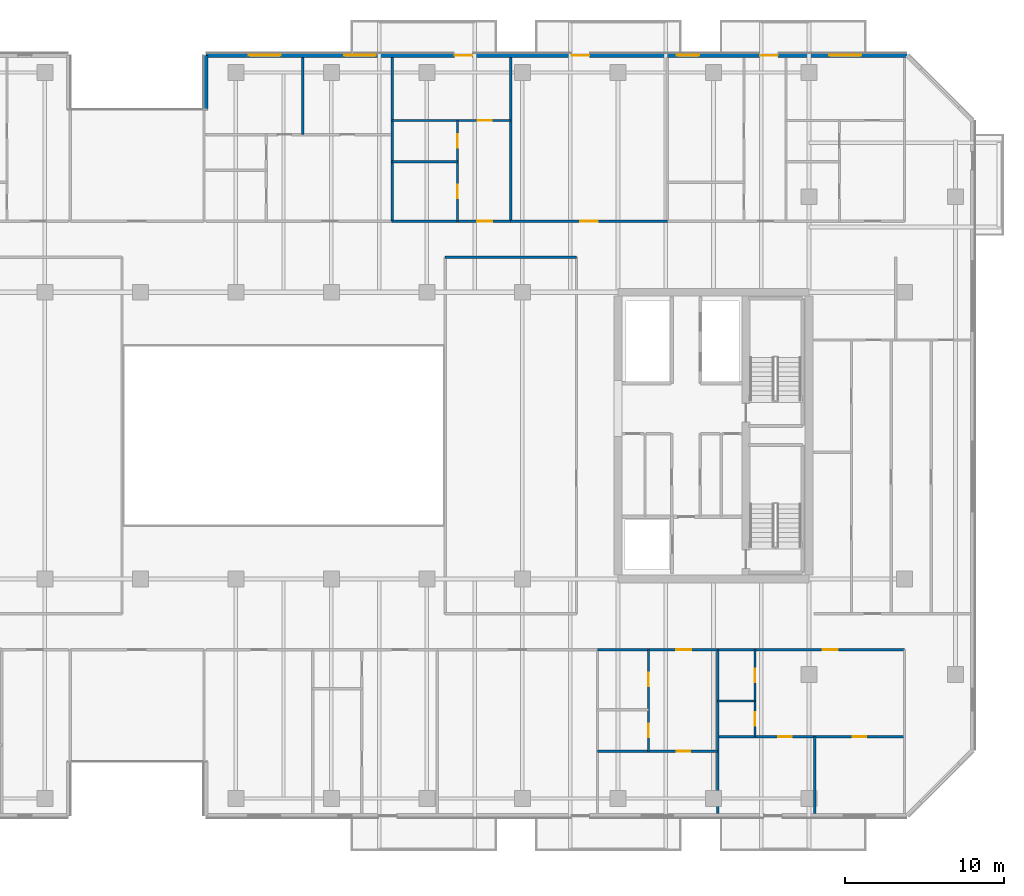
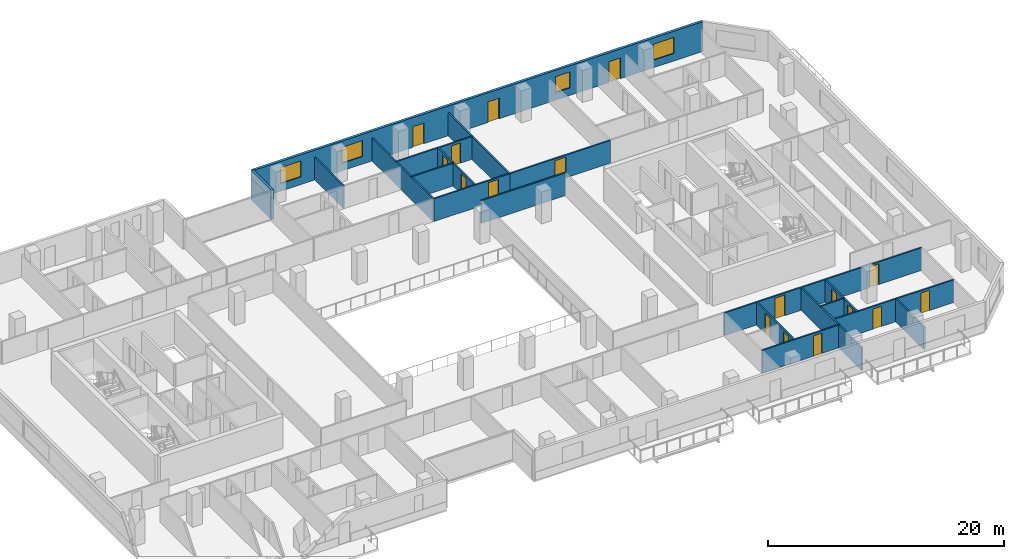
# One storey, part 14 of 23: 20 walls, 17 doors, 4 windows, 21 openings.
"""IFC4 building model written with IfcOpenShell, lengths in metres."""

from ifc_helpers import new_model, si_unit, direction, frame, frame_2d, origin, place, context, subcontext, project, spatial, rectangle, extrude, material, layer, layer_set, type_object, element, fill, save


model = new_model("IFC4")

# Units and contexts
model_context = context("Model", 3, precision=1e-05, world=origin(), true_north=direction((0.0, 1.0)))
body_context = subcontext(model_context, "Body", "Model", "MODEL_VIEW")
ifc_project = project(units=[si_unit("LENGTHUNIT", "METRE"), si_unit("AREAUNIT", "SQUARE_METRE"), si_unit("VOLUMEUNIT", "CUBIC_METRE"), si_unit("PLANEANGLEUNIT", "RADIAN"), si_unit("MASSUNIT", "GRAM", prefix="KILO")], contexts=[model_context])

# Site, building, storey
site_placement = place(None, origin())
site = spatial("IfcSite", under=ifc_project, at=site_placement, CompositionType="ELEMENT")
building_placement = place(site_placement, origin())
building = spatial("IfcBuilding", under=site, at=building_placement, Name="Tanjung Sevakor Pilgrim Tower", CompositionType="ELEMENT")
storey_placement = place(building_placement, frame((0.0, 0.0, 85.469970703125)))
storey = spatial("IfcBuildingStorey", under=building, at=storey_placement, Name="L23", CompositionType="ELEMENT", Elevation=85.469970703125)

# Walls
ifc_material_1 = material(Name="Concrete C40/50", Category="concrete")
ifc_layer_1 = layer(ifc_material_1, 0.14990234375)
ifc_layer_set_1 = layer_set([ifc_layer_1], Name="WT-COMP-150")
wall_type_1 = type_object("IfcWallType", Name="WT-COMP-150", PredefinedType="SOLIDWALL", material=ifc_layer_set_1)
wall_1_placement = place(storey_placement, frame((67.14990234375, 44.800048828125, 0.0), z_axis=(0.0, 0.0, 1.0), x_axis=(1.0, 0.0, 0.0)))
element("IfcWall", 1, at=wall_1_placement, inside=storey, type_object=wall_type_1, Name="L23 Partition IW-L23-034", PredefinedType="SOLIDWALL", context=body_context, shape_type="SweptSolid", body=[
    extrude(rectangle(XDim=8.25, YDim=0.14990234375, at=frame_2d((4.125, 0.0))), origin(), (0.0, 0.0, 1.0), 2.35009765625),
])
wall_2_placement = place(storey_placement, frame((84.261474609375, 9.85009765625, 0.0), z_axis=(0.0, 0.0, 1.0), x_axis=(0.0, 1.0, 0.0)))
element("IfcWall", 2, at=wall_2_placement, inside=storey, type_object=wall_type_1, Name="L23 Partition IW-L23-073", PredefinedType="SOLIDWALL", context=body_context, shape_type="SweptSolid", body=[
    extrude(rectangle(XDim=10.2998046875, YDim=0.14990234375, at=frame_2d((5.14990234375, 0.0))), origin(), (0.0, 0.0, 1.0), 2.35009765625),
])

# Wall, opening, door
wall_3_placement = place(storey_placement, frame((76.715087890625, 20.14990234375, 0.0), z_axis=(0.0, 0.0, 1.0), x_axis=(1.0, 0.0, 0.0)))
wall_3 = element("IfcWall", 3, at=wall_3_placement, inside=storey, type_object=wall_type_1, Name="L23 Partition IW-L23-077", PredefinedType="SOLIDWALL", context=body_context, shape_type="SweptSolid", body=[
    extrude(rectangle(XDim=7.54638671875, YDim=0.14990234375, at=frame_2d((3.773193359375, 0.0))), origin(), (0.0, 0.0, 1.0), 2.35009765625),
])
opening_1_placement = place(wall_3_placement, frame((4.9404296875, 0.0, 0.0)))
opening_1 = element("IfcOpeningElement", 4, at=opening_1_placement, cuts=wall_3, Name="Opening ID-FD2", PredefinedType="OPENING", context=body_context, shape_type="SweptSolid", body=[
    extrude(rectangle(XDim=0.949951171875, YDim=2.14990234375, at=frame_2d((0.47509765625, 1.074951171875))), frame((0.0, 0.0849609375, 0.0), z_axis=(0.0, -1.0, 0.0), x_axis=(1.0, 0.0, 0.0)), (0.0, 0.0, 1.0), 0.169921875),
])
ifc_material_2 = material(Name="Fire-Rated Timber", Category="wood")
door_type_1 = type_object("IfcDoorType", Name="DT-FIRE-950", OperationType="NOTDEFINED", PredefinedType="DOOR", material=ifc_material_2)
door_1_placement = place(opening_1_placement, origin())
door_1 = element("IfcDoor", 5, at=door_1_placement, inside=storey, type_object=door_type_1, Name="Residence Entrance", OperationType="SINGLE_SWING_RIGHT", OverallHeight=2.14990234375, OverallWidth=0.949951171875, PredefinedType="DOOR", context=body_context, shape_type="SweptSolid", body=[
    extrude(rectangle(XDim=0.949951171875, YDim=2.14990234375, at=frame_2d((0.47509765625, 1.074951171875))), frame((0.0, 0.02490234375, 0.0), z_axis=(0.0, -1.0, 0.0), x_axis=(1.0, 0.0, 0.0)), (0.0, 0.0, 1.0), 0.050048828125),
])
fill(opening_1, door_1)

wall_4_placement = place(storey_placement, frame((84.261474609375, 20.14990234375, 0.0), z_axis=(0.0, 0.0, 1.0), x_axis=(1.0, 0.0, 0.0)))
wall_4 = element("IfcWall", 6, at=wall_4_placement, inside=storey, type_object=wall_type_1, Name="L23 Partition IW-L23-082", PredefinedType="SOLIDWALL", context=body_context, shape_type="SweptSolid", body=[
    extrude(rectangle(XDim=11.738525390625, YDim=0.14990234375, at=frame_2d((5.869140625, 0.0))), origin(), (0.0, 0.0, 1.0), 2.35009765625),
])
opening_2_placement = place(wall_4_placement, frame((6.609375, 0.0, 0.0)))
opening_2 = element("IfcOpeningElement", 7, at=opening_2_placement, cuts=wall_4, Name="Opening ID-FD2", PredefinedType="OPENING", context=body_context, shape_type="SweptSolid", body=[
    extrude(rectangle(XDim=0.949951171875, YDim=2.14990234375, at=frame_2d((0.47509765625, 1.074951171875))), frame((0.0, 0.0849609375, 0.0), z_axis=(0.0, -1.0, 0.0), x_axis=(1.0, 0.0, 0.0)), (0.0, 0.0, 1.0), 0.169921875),
])
door_2_placement = place(opening_2_placement, origin())
door_2 = element("IfcDoor", 8, at=door_2_placement, inside=storey, type_object=door_type_1, Name="Suite Entrance", OperationType="SINGLE_SWING_LEFT", OverallHeight=2.14990234375, OverallWidth=0.949951171875, PredefinedType="DOOR", context=body_context, shape_type="SweptSolid", body=[
    extrude(rectangle(XDim=0.949951171875, YDim=2.14990234375, at=frame_2d((0.47509765625, 1.074951171875))), frame((0.0, 0.02490234375, 0.0), z_axis=(0.0, -1.0, 0.0), x_axis=(1.0, 0.0, 0.0)), (0.0, 0.0, 1.0), 0.050048828125),
])
fill(opening_2, door_2)

# Walls
for number, where, z_axis, x_axis, name in (
    (9, (63.8212890625, 47.050048828125, 0.0), (0.0, 0.0, 1.0), (0.0, 1.0, 0.0), "L23 Partition IW-L23-095"),
    (10, (71.267578125, 47.050048828125, 0.0), (0.0, 0.0, 1.0), (0.0, 1.0, 0.0), "L23 Partition IW-L23-101"),
):
    element("IfcWall", number, at=place(storey_placement, frame(where, z_axis=z_axis, x_axis=x_axis)), inside=storey, type_object=wall_type_1, Name=name, PredefinedType="SOLIDWALL", context=body_context, shape_type="SweptSolid", body=[
        extrude(rectangle(XDim=10.300048828125, YDim=0.14990234375, at=frame_2d((5.14990234375, 0.0))), origin(), (0.0, 0.0, 1.0), 2.35009765625),
    ])

# Wall, opening, door
wall_5_placement = place(storey_placement, frame((63.8212890625, 47.050048828125, 0.0), z_axis=(0.0, 0.0, 1.0), x_axis=(1.0, 0.0, 0.0)))
wall_5 = element("IfcWall", 11, at=wall_5_placement, inside=storey, type_object=wall_type_1, Name="L23 Partition IW-L23-105", PredefinedType="SOLIDWALL", context=body_context, shape_type="SweptSolid", body=[
    extrude(rectangle(XDim=7.4462890625, YDim=0.14990234375, at=frame_2d((3.72314453125, 0.0))), origin(), (0.0, 0.0, 1.0), 2.35009765625),
])
opening_3_placement = place(wall_5_placement, frame((5.33740234375, 0.0, 0.0)))
opening_3 = element("IfcOpeningElement", 12, at=opening_3_placement, cuts=wall_5, Name="Opening ID-FD2", PredefinedType="OPENING", context=body_context, shape_type="SweptSolid", body=[
    extrude(rectangle(XDim=0.949951171875, YDim=2.14990234375, at=frame_2d((0.47509765625, 1.074951171875))), frame((0.0, 0.0849609375, 0.0), z_axis=(0.0, -1.0, 0.0), x_axis=(1.0, 0.0, 0.0)), (0.0, 0.0, 1.0), 0.169921875),
])
door_3_placement = place(opening_3_placement, origin())
door_3 = element("IfcDoor", 13, at=door_3_placement, inside=storey, type_object=door_type_1, Name="Residence Entrance", OperationType="SINGLE_SWING_RIGHT", OverallHeight=2.14990234375, OverallWidth=0.949951171875, PredefinedType="DOOR", context=body_context, shape_type="SweptSolid", body=[
    extrude(rectangle(XDim=0.949951171875, YDim=2.14990234375, at=frame_2d((0.47509765625, 1.074951171875))), frame((0.0, 0.02490234375, 0.0), z_axis=(0.0, -1.0, 0.0), x_axis=(1.0, 0.0, 0.0)), (0.0, 0.0, 1.0), 0.050048828125),
])
fill(opening_3, door_3)

wall_6_placement = place(storey_placement, frame((71.267578125, 47.050048828125, 0.0), z_axis=(0.0, 0.0, 1.0), x_axis=(1.0, 0.0, 0.0)))
wall_6 = element("IfcWall", 14, at=wall_6_placement, inside=storey, type_object=wall_type_1, Name="L23 Partition IW-L23-107", PredefinedType="SOLIDWALL", context=body_context, shape_type="SweptSolid", body=[
    extrude(rectangle(XDim=9.83984375, YDim=0.14990234375, at=frame_2d((4.919921875, 0.0))), origin(), (0.0, 0.0, 1.0), 2.35009765625),
])
opening_4_placement = place(wall_6_placement, frame((4.369873046875, 0.0, 0.0)))
opening_4 = element("IfcOpeningElement", 15, at=opening_4_placement, cuts=wall_6, Name="Opening ID-FD0", PredefinedType="OPENING", context=body_context, shape_type="SweptSolid", body=[
    extrude(rectangle(XDim=1.10009765625, YDim=2.14990234375, at=frame_2d((0.550048828125, 1.074951171875))), frame((0.0, 0.0849609375, 0.0), z_axis=(0.0, -1.0, 0.0), x_axis=(1.0, 0.0, 0.0)), (0.0, 0.0, 1.0), 0.169921875),
])
ifc_material_3 = material(Name="Fire-Rated Steel S355J2", Category="steel")
door_type_2 = type_object("IfcDoorType", Name="DT-FIRE-1100", OperationType="NOTDEFINED", PredefinedType="DOOR", material=ifc_material_3)
door_4_placement = place(opening_4_placement, origin())
door_4 = element("IfcDoor", 16, at=door_4_placement, inside=storey, type_object=door_type_2, Name="Seminar Room Door", OperationType="SINGLE_SWING_LEFT", OverallHeight=2.14990234375, OverallWidth=1.10009765625, PredefinedType="DOOR", context=body_context, shape_type="SweptSolid", body=[
    extrude(rectangle(XDim=1.10009765625, YDim=2.14990234375, at=frame_2d((0.550048828125, 1.074951171875))), frame((0.0, 0.02490234375, 0.0), z_axis=(0.0, -1.0, 0.0), x_axis=(1.0, 0.0, 0.0)), (0.0, 0.0, 1.0), 0.050048828125),
])
fill(opening_4, door_4)

# Wall, openings, doors, windows
ifc_material_4 = material(Name="Precast concrete C45/55", Category="concrete")
ifc_layer_2 = layer(ifc_material_4, 0.25)
ifc_layer_set_2 = layer_set([ifc_layer_2], Name="WT-EW-STN3")
wall_type_2 = type_object("IfcWallType", Name="WT-EW-STN3", PredefinedType="SOLIDWALL", material=ifc_layer_set_2)
wall_7_placement = place(storey_placement, frame((96.148193359375, 57.47509765625, 0.0), z_axis=(0.0, 0.0, 1.0), x_axis=(-1.0, 0.0, 0.0)))
wall_7 = element("IfcWall", 17, at=wall_7_placement, inside=storey, type_object=wall_type_2, Name="L23 MAIN Exterior Wall 9", PredefinedType="SOLIDWALL", context=body_context, shape_type="SweptSolid", body=[
    extrude(rectangle(XDim=44.023193359375, YDim=0.25, at=frame_2d((22.01171875, 0.0))), origin(), (0.0, 0.0, 1.0), 3.080078125),
])
opening_5_placement = place(wall_7_placement, frame((27.298095703125, 0.0, 0.0)))
opening_5 = element("IfcOpeningElement", 18, at=opening_5_placement, cuts=wall_7, Name="Opening ED-BAL-1100", PredefinedType="OPENING", context=body_context, shape_type="SweptSolid", body=[
    extrude(rectangle(XDim=1.10009765625, YDim=2.14990234375, at=frame_2d((0.550048828125, 1.074951171875))), frame((0.0, 0.135009765625, 0.0), z_axis=(0.0, -1.0, 0.0), x_axis=(1.0, 0.0, 0.0)), (0.0, 0.0, 1.0), 0.27001953125),
])
opening_6_placement = place(wall_7_placement, frame((19.9482421875, 0.0, 0.0)))
opening_6 = element("IfcOpeningElement", 19, at=opening_6_placement, cuts=wall_7, Name="Opening ED-BAL-1100", PredefinedType="OPENING", context=body_context, shape_type="SweptSolid", body=[
    extrude(rectangle(XDim=1.10009765625, YDim=2.14990234375, at=frame_2d((0.550048828125, 1.074951171875))), frame((0.0, 0.135009765625, 0.0), z_axis=(0.0, -1.0, 0.0), x_axis=(1.0, 0.0, 0.0)), (0.0, 0.0, 1.0), 0.27001953125),
])
opening_7_placement = place(wall_7_placement, frame((8.09814453125, 0.0, 0.0)))
opening_7 = element("IfcOpeningElement", 20, at=opening_7_placement, cuts=wall_7, Name="Opening ED-BAL-1100", PredefinedType="OPENING", context=body_context, shape_type="SweptSolid", body=[
    extrude(rectangle(XDim=1.10009765625, YDim=2.14990234375, at=frame_2d((0.550048828125, 1.074951171875))), frame((0.0, 0.135009765625, 0.0), z_axis=(0.0, -1.0, 0.0), x_axis=(1.0, 0.0, 0.0)), (0.0, 0.0, 1.0), 0.27001953125),
])
opening_8_placement = place(wall_7_placement, frame((39.3359375, 0.0, 0.780029296875)))
opening_8 = element("IfcOpeningElement", 21, at=opening_8_placement, cuts=wall_7, Name="Opening WN-Z2-1660", PredefinedType="OPENING", context=body_context, shape_type="SweptSolid", body=[
    extrude(rectangle(XDim=2.0, YDim=1.659912109375, at=frame_2d((1.0, 0.830078125))), frame((0.0, 0.135009765625, 0.0), z_axis=(0.0, -1.0, 0.0), x_axis=(1.0, 0.0, 0.0)), (0.0, 0.0, 1.0), 0.27001953125),
])
opening_9_placement = place(wall_7_placement, frame((33.34521484375, 0.0, 0.780029296875)))
opening_9 = element("IfcOpeningElement", 22, at=opening_9_placement, cuts=wall_7, Name="Opening WN-Z2-1660", PredefinedType="OPENING", context=body_context, shape_type="SweptSolid", body=[
    extrude(rectangle(XDim=2.0, YDim=1.659912109375, at=frame_2d((1.0, 0.830078125))), frame((0.0, 0.135009765625, 0.0), z_axis=(0.0, -1.0, 0.0), x_axis=(1.0, 0.0, 0.0)), (0.0, 0.0, 1.0), 0.27001953125),
])
opening_10_placement = place(wall_7_placement, frame((13.04443359375, 0.0, 0.780029296875)))
opening_10 = element("IfcOpeningElement", 23, at=opening_10_placement, cuts=wall_7, Name="Opening WN-END", PredefinedType="OPENING", context=body_context, shape_type="SweptSolid", body=[
    extrude(rectangle(XDim=1.39990234375, YDim=1.64990234375, at=frame_2d((0.699951171875, 0.824951171875))), frame((0.0, 0.135009765625, 0.0), z_axis=(0.0, -1.0, 0.0), x_axis=(1.0, 0.0, 0.0)), (0.0, 0.0, 1.0), 0.27001953125),
])
opening_11_placement = place(wall_7_placement, frame((2.871337890625, 0.0, 0.780029296875)))
opening_11 = element("IfcOpeningElement", 24, at=opening_11_placement, cuts=wall_7, Name="Opening WN-Z2-1660", PredefinedType="OPENING", context=body_context, shape_type="SweptSolid", body=[
    extrude(rectangle(XDim=2.0, YDim=1.659912109375, at=frame_2d((1.0, 0.830078125))), frame((0.0, 0.135009765625, 0.0), z_axis=(0.0, -1.0, 0.0), x_axis=(1.0, 0.0, 0.0)), (0.0, 0.0, 1.0), 0.27001953125),
])
ifc_material_5 = material(Name="Anodised Aluminium and Laminated Glass", Category="aluminium")
door_type_3 = type_object("IfcDoorType", Name="DTYP-ED-BAL-1100", OperationType="NOTDEFINED", PredefinedType="DOOR", material=ifc_material_5)
door_5_placement = place(opening_5_placement, frame((1.10009765625, 0.0, 0.0), z_axis=(0.0, 0.0, 1.0), x_axis=(-1.0, 0.0, 0.0)))
door_5 = element("IfcDoor", 25, at=door_5_placement, inside=storey, type_object=door_type_3, Name="L23 Balcony Door MAIN-N2", OperationType="SINGLE_SWING_LEFT", OverallHeight=2.14990234375, OverallWidth=1.10009765625, PredefinedType="DOOR", context=body_context, shape_type="SweptSolid", body=[
    extrude(rectangle(XDim=1.10009765625, YDim=2.14990234375, at=frame_2d((0.550048828125, 1.074951171875))), frame((0.0, 0.02490234375, 0.0), z_axis=(0.0, -1.0, 0.0), x_axis=(1.0, 0.0, 0.0)), (0.0, 0.0, 1.0), 0.050048828125),
])
fill(opening_5, door_5)
door_6_placement = place(opening_6_placement, frame((1.10009765625, 0.0, 0.0), z_axis=(0.0, 0.0, 1.0), x_axis=(-1.0, 0.0, 0.0)))
door_6 = element("IfcDoor", 26, at=door_6_placement, inside=storey, type_object=door_type_3, Name="L23 Balcony Door MAIN-N3", OperationType="SINGLE_SWING_RIGHT", OverallHeight=2.14990234375, OverallWidth=1.10009765625, PredefinedType="DOOR", context=body_context, shape_type="SweptSolid", body=[
    extrude(rectangle(XDim=1.10009765625, YDim=2.14990234375, at=frame_2d((0.550048828125, 1.074951171875))), frame((0.0, 0.02490234375, 0.0), z_axis=(0.0, -1.0, 0.0), x_axis=(1.0, 0.0, 0.0)), (0.0, 0.0, 1.0), 0.050048828125),
])
fill(opening_6, door_6)
door_7_placement = place(opening_7_placement, frame((1.10009765625, 0.0, 0.0), z_axis=(0.0, 0.0, 1.0), x_axis=(-1.0, 0.0, 0.0)))
door_7 = element("IfcDoor", 27, at=door_7_placement, inside=storey, type_object=door_type_3, Name="L23 Balcony Door MAIN-N4", OperationType="SINGLE_SWING_LEFT", OverallHeight=2.14990234375, OverallWidth=1.10009765625, PredefinedType="DOOR", context=body_context, shape_type="SweptSolid", body=[
    extrude(rectangle(XDim=1.10009765625, YDim=2.14990234375, at=frame_2d((0.550048828125, 1.074951171875))), frame((0.0, 0.02490234375, 0.0), z_axis=(0.0, -1.0, 0.0), x_axis=(1.0, 0.0, 0.0)), (0.0, 0.0, 1.0), 0.050048828125),
])
fill(opening_7, door_7)
ifc_material_6 = material(Name="Thermally Broken Aluminium and Low-E Glass", Category="aluminium")
window_type_1 = type_object("IfcWindowType", Name="WTYP-WN-END", PartitioningType="SINGLE_PANEL", PredefinedType="WINDOW", material=ifc_material_6)
window_1_placement = place(opening_10_placement, origin())
window_1 = element("IfcWindow", 28, at=window_1_placement, inside=storey, type_object=window_type_1, Name="L23 Facade Window 03", OverallHeight=1.64990234375, OverallWidth=1.39990234375, PartitioningType="SINGLE_PANEL", PredefinedType="WINDOW", context=body_context, shape_type="SweptSolid", body=[
    extrude(rectangle(XDim=1.39990234375, YDim=1.64990234375, at=frame_2d((0.699951171875, 0.824951171875))), frame((0.0, 0.030029296875, 0.0), z_axis=(0.0, -1.0, 0.0), x_axis=(1.0, 0.0, 0.0)), (0.0, 0.0, 1.0), 0.06005859375),
])
fill(opening_10, window_1)
ifc_material_7 = material(Name="Thermally Broken Aluminium and Low-E Glass", Category="aluminium")
window_type_2 = type_object("IfcWindowType", Name="WTYP-WN-Z2-1660", PartitioningType="DOUBLE_PANEL_VERTICAL", PredefinedType="WINDOW", material=ifc_material_7)
window_2_placement = place(opening_8_placement, origin())
window_2 = element("IfcWindow", 29, at=window_2_placement, inside=storey, type_object=window_type_2, Name="L23 Facade Window 01", OverallHeight=1.659912109375, OverallWidth=2.0, PartitioningType="SINGLE_PANEL", PredefinedType="WINDOW", context=body_context, shape_type="SweptSolid", body=[
    extrude(rectangle(XDim=2.0, YDim=1.659912109375, at=frame_2d((1.0, 0.830078125))), frame((0.0, 0.030029296875, 0.0), z_axis=(0.0, -1.0, 0.0), x_axis=(1.0, 0.0, 0.0)), (0.0, 0.0, 1.0), 0.06005859375),
])
fill(opening_8, window_2)
window_3_placement = place(opening_9_placement, origin())
window_3 = element("IfcWindow", 30, at=window_3_placement, inside=storey, type_object=window_type_2, Name="L23 Facade Window 02", OverallHeight=1.659912109375, OverallWidth=2.0, PartitioningType="SINGLE_PANEL", PredefinedType="WINDOW", context=body_context, shape_type="SweptSolid", body=[
    extrude(rectangle(XDim=2.0, YDim=1.659912109375, at=frame_2d((1.0, 0.830078125))), frame((0.0, 0.030029296875, 0.0), z_axis=(0.0, -1.0, 0.0), x_axis=(1.0, 0.0, 0.0)), (0.0, 0.0, 1.0), 0.06005859375),
])
fill(opening_9, window_3)
window_4_placement = place(opening_11_placement, origin())
window_4 = element("IfcWindow", 31, at=window_4_placement, inside=storey, type_object=window_type_2, Name="L23 Facade Window 04", OverallHeight=1.659912109375, OverallWidth=2.0, PartitioningType="SINGLE_PANEL", PredefinedType="WINDOW", context=body_context, shape_type="SweptSolid", body=[
    extrude(rectangle(XDim=2.0, YDim=1.659912109375, at=frame_2d((1.0, 0.830078125))), frame((0.0, 0.030029296875, 0.0), z_axis=(0.0, -1.0, 0.0), x_axis=(1.0, 0.0, 0.0)), (0.0, 0.0, 1.0), 0.06005859375),
])
fill(opening_11, window_4)

# Wall
wall_8_placement = place(storey_placement, frame((52.125, 57.47509765625, 0.0), z_axis=(0.0, 0.0, 1.0), x_axis=(0.0, -1.0, 0.0)))
element("IfcWall", 32, at=wall_8_placement, inside=storey, type_object=wall_type_2, Name="L23 MAIN Exterior Wall 10", PredefinedType="SOLIDWALL", context=body_context, shape_type="SweptSolid", body=[
    extrude(rectangle(XDim=3.400146484375, YDim=0.25, at=frame_2d((1.7001953125, 0.0))), origin(), (0.0, 0.0, 1.0), 3.080078125),
])

# Wall, openings, doors
ifc_material_8 = material(Name="Gypsum Board Partition", Category="gypsum board")
ifc_layer_3 = layer(ifc_material_8, 0.14990234375)
ifc_layer_set_3 = layer_set([ifc_layer_3], Name="WT-PART-150")
wall_type_3 = type_object("IfcWallType", Name="WT-PART-150", PredefinedType="PARTITIONING", material=ifc_layer_set_3)
wall_9_placement = place(storey_placement, frame((79.919921875, 13.75927734375, 0.0), z_axis=(0.0, 0.0, 1.0), x_axis=(0.0, 1.0, 0.0)))
wall_9 = element("IfcWall", 33, at=wall_9_placement, inside=storey, type_object=wall_type_3, Name="L23 Partition IW-L23-075", PredefinedType="PARTITIONING", context=body_context, shape_type="SweptSolid", body=[
    extrude(rectangle(XDim=6.390625, YDim=0.14990234375, at=frame_2d((3.1953125, 0.0))), origin(), (0.0, 0.0, 1.0), 2.35009765625),
])
opening_12_placement = place(wall_9_placement, frame((0.885009765625, 0.0, 0.0)))
opening_12 = element("IfcOpeningElement", 34, at=opening_12_placement, cuts=wall_9, Name="Opening ID-WC1", PredefinedType="OPENING", context=body_context, shape_type="SweptSolid", body=[
    extrude(rectangle(XDim=0.85009765625, YDim=2.10009765625, at=frame_2d((0.425048828125, 1.050048828125))), frame((0.0, 0.0849609375, 0.0), z_axis=(0.0, -1.0, 0.0), x_axis=(1.0, 0.0, 0.0)), (0.0, 0.0, 1.0), 0.169921875),
])
opening_13_placement = place(wall_9_placement, frame((4.080322265625, 0.0, 0.0)))
opening_13 = element("IfcOpeningElement", 35, at=opening_13_placement, cuts=wall_9, Name="Opening ID-WC1", PredefinedType="OPENING", context=body_context, shape_type="SweptSolid", body=[
    extrude(rectangle(XDim=0.85009765625, YDim=2.10009765625, at=frame_2d((0.425048828125, 1.050048828125))), frame((0.0, 0.0849609375, 0.0), z_axis=(0.0, -1.0, 0.0), x_axis=(1.0, 0.0, 0.0)), (0.0, 0.0, 1.0), 0.169921875),
])
ifc_material_9 = material(Name="Moisture-Resistant Timber", Category="wood")
door_type_4 = type_object("IfcDoorType", Name="DT-INT-850", OperationType="NOTDEFINED", PredefinedType="DOOR", material=ifc_material_9)
door_8_placement = place(opening_12_placement, origin())
door_8 = element("IfcDoor", 36, at=door_8_placement, inside=storey, type_object=door_type_4, Name="Residence Bathroom Door", OperationType="SINGLE_SWING_LEFT", OverallHeight=2.10009765625, OverallWidth=0.85009765625, PredefinedType="DOOR", context=body_context, shape_type="SweptSolid", body=[
    extrude(rectangle(XDim=0.85009765625, YDim=2.10009765625, at=frame_2d((0.425048828125, 1.050048828125))), frame((0.0, 0.02490234375, 0.0), z_axis=(0.0, -1.0, 0.0), x_axis=(1.0, 0.0, 0.0)), (0.0, 0.0, 1.0), 0.050048828125),
])
fill(opening_12, door_8)
door_9_placement = place(opening_13_placement, origin())
door_9 = element("IfcDoor", 37, at=door_9_placement, inside=storey, type_object=door_type_4, Name="Residence Kitchenette Door", OperationType="SINGLE_SWING_RIGHT", OverallHeight=2.10009765625, OverallWidth=0.85009765625, PredefinedType="DOOR", context=body_context, shape_type="SweptSolid", body=[
    extrude(rectangle(XDim=0.85009765625, YDim=2.10009765625, at=frame_2d((0.425048828125, 1.050048828125))), frame((0.0, 0.02490234375, 0.0), z_axis=(0.0, -1.0, 0.0), x_axis=(1.0, 0.0, 0.0)), (0.0, 0.0, 1.0), 0.050048828125),
])
fill(opening_13, door_9)

# Wall, opening, door
wall_10_placement = place(storey_placement, frame((76.715087890625, 13.75927734375, 0.0), z_axis=(0.0, 0.0, 1.0), x_axis=(1.0, 0.0, 0.0)))
wall_10 = element("IfcWall", 38, at=wall_10_placement, inside=storey, type_object=wall_type_3, Name="L23 Partition IW-L23-076", PredefinedType="PARTITIONING", context=body_context, shape_type="SweptSolid", body=[
    extrude(rectangle(XDim=7.54638671875, YDim=0.14990234375, at=frame_2d((3.773193359375, 0.0))), origin(), (0.0, 0.0, 1.0), 2.35009765625),
])
opening_14_placement = place(wall_10_placement, frame((4.990478515625, 0.0, 0.0)))
opening_14 = element("IfcOpeningElement", 39, at=opening_14_placement, cuts=wall_10, Name="Opening ID-WC1", PredefinedType="OPENING", context=body_context, shape_type="SweptSolid", body=[
    extrude(rectangle(XDim=0.85009765625, YDim=2.10009765625, at=frame_2d((0.425048828125, 1.050048828125))), frame((0.0, 0.0849609375, 0.0), z_axis=(0.0, -1.0, 0.0), x_axis=(1.0, 0.0, 0.0)), (0.0, 0.0, 1.0), 0.169921875),
])
door_10_placement = place(opening_14_placement, origin())
door_10 = element("IfcDoor", 40, at=door_10_placement, inside=storey, type_object=door_type_4, Name="Residence Bedroom Door", OperationType="SINGLE_SWING_LEFT", OverallHeight=2.10009765625, OverallWidth=0.85009765625, PredefinedType="DOOR", context=body_context, shape_type="SweptSolid", body=[
    extrude(rectangle(XDim=0.85009765625, YDim=2.10009765625, at=frame_2d((0.425048828125, 1.050048828125))), frame((0.0, 0.02490234375, 0.0), z_axis=(0.0, -1.0, 0.0), x_axis=(1.0, 0.0, 0.0)), (0.0, 0.0, 1.0), 0.050048828125),
])
fill(opening_14, door_10)

# Wall
wall_11_placement = place(storey_placement, frame((84.261474609375, 16.92431640625, 0.0), z_axis=(0.0, 0.0, 1.0), x_axis=(1.0, 0.0, 0.0)))
element("IfcWall", 41, at=wall_11_placement, inside=storey, type_object=wall_type_3, Name="L23 Partition IW-L23-078", PredefinedType="PARTITIONING", context=body_context, shape_type="SweptSolid", body=[
    extrude(rectangle(XDim=2.349853515625, YDim=0.14990234375, at=frame_2d((1.1748046875, 0.0))), origin(), (0.0, 0.0, 1.0), 2.35009765625),
])

# Wall, openings, doors
wall_12_placement = place(storey_placement, frame((86.611328125, 14.682861328125, 0.0), z_axis=(0.0, 0.0, 1.0), x_axis=(0.0, 1.0, 0.0)))
wall_12 = element("IfcWall", 42, at=wall_12_placement, inside=storey, type_object=wall_type_3, Name="L23 Partition IW-L23-079", PredefinedType="PARTITIONING", context=body_context, shape_type="SweptSolid", body=[
    extrude(rectangle(XDim=5.467041015625, YDim=0.14990234375, at=frame_2d((2.7333984375, 0.0))), origin(), (0.0, 0.0, 1.0), 2.35009765625),
])
opening_15_placement = place(wall_12_placement, frame((0.69580078125, 0.0, 0.0)))
opening_15 = element("IfcOpeningElement", 43, at=opening_15_placement, cuts=wall_12, Name="Opening ID-WC1", PredefinedType="OPENING", context=body_context, shape_type="SweptSolid", body=[
    extrude(rectangle(XDim=0.85009765625, YDim=2.10009765625, at=frame_2d((0.425048828125, 1.050048828125))), frame((0.0, 0.0849609375, 0.0), z_axis=(0.0, -1.0, 0.0), x_axis=(1.0, 0.0, 0.0)), (0.0, 0.0, 1.0), 0.169921875),
])
opening_16_placement = place(wall_12_placement, frame((3.429443359375, 0.0, 0.0)))
opening_16 = element("IfcOpeningElement", 44, at=opening_16_placement, cuts=wall_12, Name="Opening ID-WC1", PredefinedType="OPENING", context=body_context, shape_type="SweptSolid", body=[
    extrude(rectangle(XDim=0.85009765625, YDim=2.10009765625, at=frame_2d((0.425048828125, 1.050048828125))), frame((0.0, 0.0849609375, 0.0), z_axis=(0.0, -1.0, 0.0), x_axis=(1.0, 0.0, 0.0)), (0.0, 0.0, 1.0), 0.169921875),
])
door_11_placement = place(opening_15_placement, origin())
door_11 = element("IfcDoor", 45, at=door_11_placement, inside=storey, type_object=door_type_4, Name="Suite Bathroom Door", OperationType="SINGLE_SWING_LEFT", OverallHeight=2.10009765625, OverallWidth=0.85009765625, PredefinedType="DOOR", context=body_context, shape_type="SweptSolid", body=[
    extrude(rectangle(XDim=0.85009765625, YDim=2.10009765625, at=frame_2d((0.425048828125, 1.050048828125))), frame((0.0, 0.02490234375, 0.0), z_axis=(0.0, -1.0, 0.0), x_axis=(1.0, 0.0, 0.0)), (0.0, 0.0, 1.0), 0.050048828125),
])
fill(opening_15, door_11)
door_12_placement = place(opening_16_placement, origin())
door_12 = element("IfcDoor", 46, at=door_12_placement, inside=storey, type_object=door_type_4, Name="Suite Kitchenette Door", OperationType="SINGLE_SWING_RIGHT", OverallHeight=2.10009765625, OverallWidth=0.85009765625, PredefinedType="DOOR", context=body_context, shape_type="SweptSolid", body=[
    extrude(rectangle(XDim=0.85009765625, YDim=2.10009765625, at=frame_2d((0.425048828125, 1.050048828125))), frame((0.0, 0.02490234375, 0.0), z_axis=(0.0, -1.0, 0.0), x_axis=(1.0, 0.0, 0.0)), (0.0, 0.0, 1.0), 0.050048828125),
])
fill(opening_16, door_12)

# Wall
wall_13_placement = place(storey_placement, frame((90.365478515625, 9.85009765625, 0.0), z_axis=(0.0, 0.0, 1.0), x_axis=(0.0, 1.0, 0.0)))
element("IfcWall", 47, at=wall_13_placement, inside=storey, type_object=wall_type_3, Name="L23 Partition IW-L23-080", PredefinedType="PARTITIONING", context=body_context, shape_type="SweptSolid", body=[
    extrude(rectangle(XDim=4.832763671875, YDim=0.14990234375, at=frame_2d((2.41650390625, 0.0))), origin(), (0.0, 0.0, 1.0), 2.35009765625),
])

# Wall, openings, doors
wall_14_placement = place(storey_placement, frame((84.261474609375, 14.682861328125, 0.0), z_axis=(0.0, 0.0, 1.0), x_axis=(1.0, 0.0, 0.0)))
wall_14 = element("IfcWall", 48, at=wall_14_placement, inside=storey, type_object=wall_type_3, Name="L23 Partition IW-L23-081", PredefinedType="PARTITIONING", context=body_context, shape_type="SweptSolid", body=[
    extrude(rectangle(XDim=11.738525390625, YDim=0.14990234375, at=frame_2d((5.869140625, 0.0))), origin(), (0.0, 0.0, 1.0), 2.35009765625),
])
opening_17_placement = place(wall_14_placement, frame((3.802001953125, 0.0, 0.0)))
opening_17 = element("IfcOpeningElement", 49, at=opening_17_placement, cuts=wall_14, Name="Opening ID-WC1", PredefinedType="OPENING", context=body_context, shape_type="SweptSolid", body=[
    extrude(rectangle(XDim=0.85009765625, YDim=2.10009765625, at=frame_2d((0.425048828125, 1.050048828125))), frame((0.0, 0.0849609375, 0.0), z_axis=(0.0, -1.0, 0.0), x_axis=(1.0, 0.0, 0.0)), (0.0, 0.0, 1.0), 0.169921875),
])
opening_18_placement = place(wall_14_placement, frame((8.496337890625, 0.0, 0.0)))
opening_18 = element("IfcOpeningElement", 50, at=opening_18_placement, cuts=wall_14, Name="Opening ID-WC1", PredefinedType="OPENING", context=body_context, shape_type="SweptSolid", body=[
    extrude(rectangle(XDim=0.85009765625, YDim=2.10009765625, at=frame_2d((0.425048828125, 1.050048828125))), frame((0.0, 0.0849609375, 0.0), z_axis=(0.0, -1.0, 0.0), x_axis=(1.0, 0.0, 0.0)), (0.0, 0.0, 1.0), 0.169921875),
])
door_13_placement = place(opening_17_placement, origin())
door_13 = element("IfcDoor", 51, at=door_13_placement, inside=storey, type_object=door_type_4, Name="Suite Bedroom 1 Door", OperationType="SINGLE_SWING_LEFT", OverallHeight=2.10009765625, OverallWidth=0.85009765625, PredefinedType="DOOR", context=body_context, shape_type="SweptSolid", body=[
    extrude(rectangle(XDim=0.85009765625, YDim=2.10009765625, at=frame_2d((0.425048828125, 1.050048828125))), frame((0.0, 0.02490234375, 0.0), z_axis=(0.0, -1.0, 0.0), x_axis=(1.0, 0.0, 0.0)), (0.0, 0.0, 1.0), 0.050048828125),
])
fill(opening_17, door_13)
door_14_placement = place(opening_18_placement, origin())
door_14 = element("IfcDoor", 52, at=door_14_placement, inside=storey, type_object=door_type_4, Name="Suite Bedroom 2 Door", OperationType="SINGLE_SWING_RIGHT", OverallHeight=2.10009765625, OverallWidth=0.85009765625, PredefinedType="DOOR", context=body_context, shape_type="SweptSolid", body=[
    extrude(rectangle(XDim=0.85009765625, YDim=2.10009765625, at=frame_2d((0.425048828125, 1.050048828125))), frame((0.0, 0.02490234375, 0.0), z_axis=(0.0, -1.0, 0.0), x_axis=(1.0, 0.0, 0.0)), (0.0, 0.0, 1.0), 0.050048828125),
])
fill(opening_18, door_14)

# Walls
wall_15_placement = place(storey_placement, frame((58.20458984375, 52.501708984375, 0.0), z_axis=(0.0, 0.0, 1.0), x_axis=(0.0, 1.0, 0.0)))
element("IfcWall", 53, at=wall_15_placement, inside=storey, type_object=wall_type_3, Name="L23 Partition IW-L23-098", PredefinedType="PARTITIONING", context=body_context, shape_type="SweptSolid", body=[
    extrude(rectangle(XDim=4.848388671875, YDim=0.14990234375, at=frame_2d((2.42431640625, 0.0))), origin(), (0.0, 0.0, 1.0), 2.35009765625),
])
wall_16_placement = place(storey_placement, frame((63.8212890625, 50.78955078125, 0.0), z_axis=(0.0, 0.0, 1.0), x_axis=(1.0, 0.0, 0.0)))
element("IfcWall", 54, at=wall_16_placement, inside=storey, type_object=wall_type_3, Name="L23 Partition IW-L23-102", PredefinedType="PARTITIONING", context=body_context, shape_type="SweptSolid", body=[
    extrude(rectangle(XDim=4.0986328125, YDim=0.14990234375, at=frame_2d((2.04931640625, 0.0))), origin(), (0.0, 0.0, 1.0), 2.35009765625),
])

# Wall, openings, doors
wall_17_placement = place(storey_placement, frame((67.919921875, 47.050048828125, 0.0), z_axis=(0.0, 0.0, 1.0), x_axis=(0.0, 1.0, 0.0)))
wall_17 = element("IfcWall", 55, at=wall_17_placement, inside=storey, type_object=wall_type_3, Name="L23 Partition IW-L23-103", PredefinedType="PARTITIONING", context=body_context, shape_type="SweptSolid", body=[
    extrude(rectangle(XDim=6.338134765625, YDim=0.14990234375, at=frame_2d((3.1689453125, 0.0))), origin(), (0.0, 0.0, 1.0), 2.35009765625),
])
opening_19_placement = place(wall_17_placement, frame((1.44482421875, 0.0, 0.0)))
opening_19 = element("IfcOpeningElement", 56, at=opening_19_placement, cuts=wall_17, Name="Opening ID-WC1", PredefinedType="OPENING", context=body_context, shape_type="SweptSolid", body=[
    extrude(rectangle(XDim=0.85009765625, YDim=2.10009765625, at=frame_2d((0.425048828125, 1.050048828125))), frame((0.0, 0.0849609375, 0.0), z_axis=(0.0, -1.0, 0.0), x_axis=(1.0, 0.0, 0.0)), (0.0, 0.0, 1.0), 0.169921875),
])
opening_20_placement = place(wall_17_placement, frame((4.614013671875, 0.0, 0.0)))
opening_20 = element("IfcOpeningElement", 57, at=opening_20_placement, cuts=wall_17, Name="Opening ID-WC1", PredefinedType="OPENING", context=body_context, shape_type="SweptSolid", body=[
    extrude(rectangle(XDim=0.85009765625, YDim=2.10009765625, at=frame_2d((0.425048828125, 1.050048828125))), frame((0.0, 0.0849609375, 0.0), z_axis=(0.0, -1.0, 0.0), x_axis=(1.0, 0.0, 0.0)), (0.0, 0.0, 1.0), 0.169921875),
])
door_15_placement = place(opening_19_placement, origin())
door_15 = element("IfcDoor", 58, at=door_15_placement, inside=storey, type_object=door_type_4, Name="Residence Kitchenette Door", OperationType="SINGLE_SWING_LEFT", OverallHeight=2.10009765625, OverallWidth=0.85009765625, PredefinedType="DOOR", context=body_context, shape_type="SweptSolid", body=[
    extrude(rectangle(XDim=0.85009765625, YDim=2.10009765625, at=frame_2d((0.425048828125, 1.050048828125))), frame((0.0, 0.02490234375, 0.0), z_axis=(0.0, -1.0, 0.0), x_axis=(1.0, 0.0, 0.0)), (0.0, 0.0, 1.0), 0.050048828125),
])
fill(opening_19, door_15)
door_16_placement = place(opening_20_placement, origin())
door_16 = element("IfcDoor", 59, at=door_16_placement, inside=storey, type_object=door_type_4, Name="Residence Bathroom Door", OperationType="SINGLE_SWING_RIGHT", OverallHeight=2.10009765625, OverallWidth=0.85009765625, PredefinedType="DOOR", context=body_context, shape_type="SweptSolid", body=[
    extrude(rectangle(XDim=0.85009765625, YDim=2.10009765625, at=frame_2d((0.425048828125, 1.050048828125))), frame((0.0, 0.02490234375, 0.0), z_axis=(0.0, -1.0, 0.0), x_axis=(1.0, 0.0, 0.0)), (0.0, 0.0, 1.0), 0.050048828125),
])
fill(opening_20, door_16)

# Wall, opening, door
wall_18_placement = place(storey_placement, frame((63.8212890625, 53.38818359375, 0.0), z_axis=(0.0, 0.0, 1.0), x_axis=(1.0, 0.0, 0.0)))
wall_18 = element("IfcWall", 60, at=wall_18_placement, inside=storey, type_object=wall_type_3, Name="L23 Partition IW-L23-104", PredefinedType="PARTITIONING", context=body_context, shape_type="SweptSolid", body=[
    extrude(rectangle(XDim=7.4462890625, YDim=0.14990234375, at=frame_2d((3.72314453125, 0.0))), origin(), (0.0, 0.0, 1.0), 2.35009765625),
])
opening_21_placement = place(wall_18_placement, frame((5.387451171875, 0.0, 0.0)))
opening_21 = element("IfcOpeningElement", 61, at=opening_21_placement, cuts=wall_18, Name="Opening ID-WC1", PredefinedType="OPENING", context=body_context, shape_type="SweptSolid", body=[
    extrude(rectangle(XDim=0.85009765625, YDim=2.10009765625, at=frame_2d((0.425048828125, 1.050048828125))), frame((0.0, 0.0849609375, 0.0), z_axis=(0.0, -1.0, 0.0), x_axis=(1.0, 0.0, 0.0)), (0.0, 0.0, 1.0), 0.169921875),
])
door_17_placement = place(opening_21_placement, origin())
door_17 = element("IfcDoor", 62, at=door_17_placement, inside=storey, type_object=door_type_4, Name="Residence Bedroom Door", OperationType="SINGLE_SWING_LEFT", OverallHeight=2.10009765625, OverallWidth=0.85009765625, PredefinedType="DOOR", context=body_context, shape_type="SweptSolid", body=[
    extrude(rectangle(XDim=0.85009765625, YDim=2.10009765625, at=frame_2d((0.425048828125, 1.050048828125))), frame((0.0, 0.02490234375, 0.0), z_axis=(0.0, -1.0, 0.0), x_axis=(1.0, 0.0, 0.0)), (0.0, 0.0, 1.0), 0.050048828125),
])
fill(opening_21, door_17)

save(model, "model.ifc")
